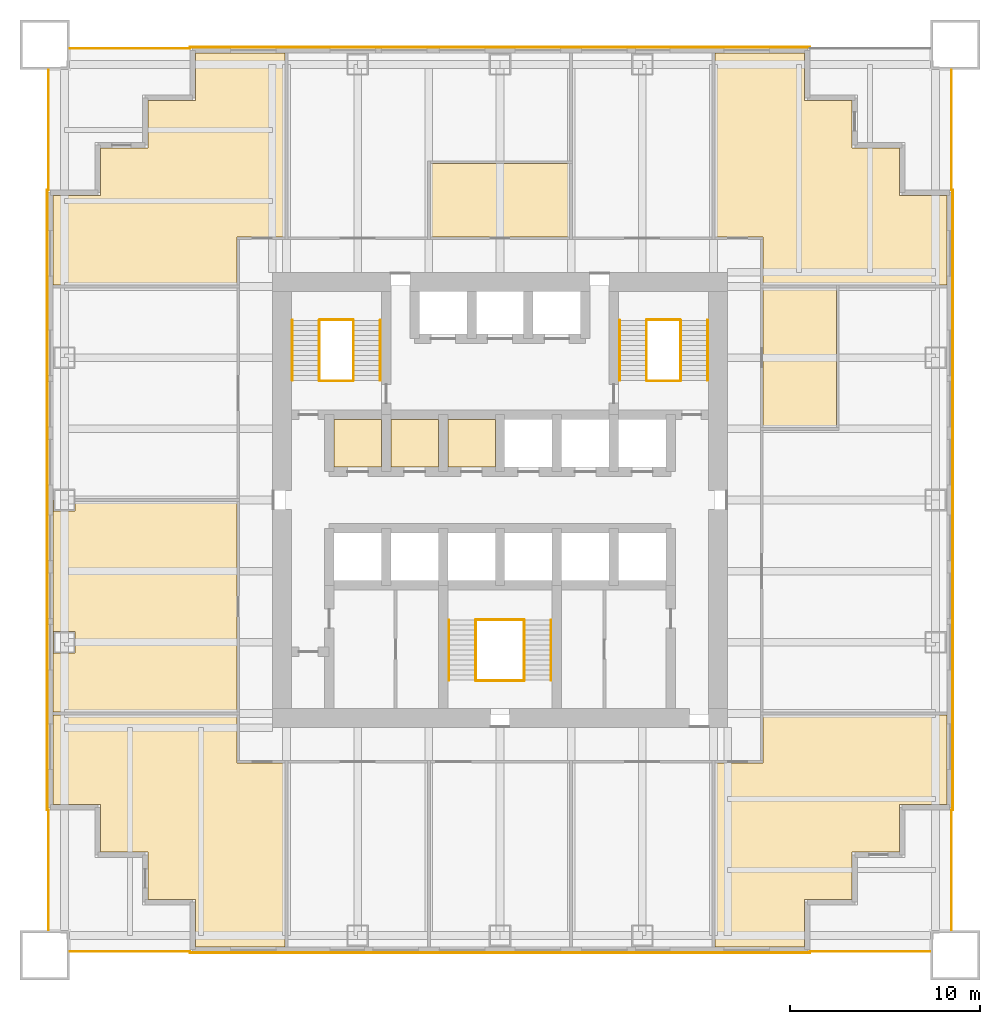
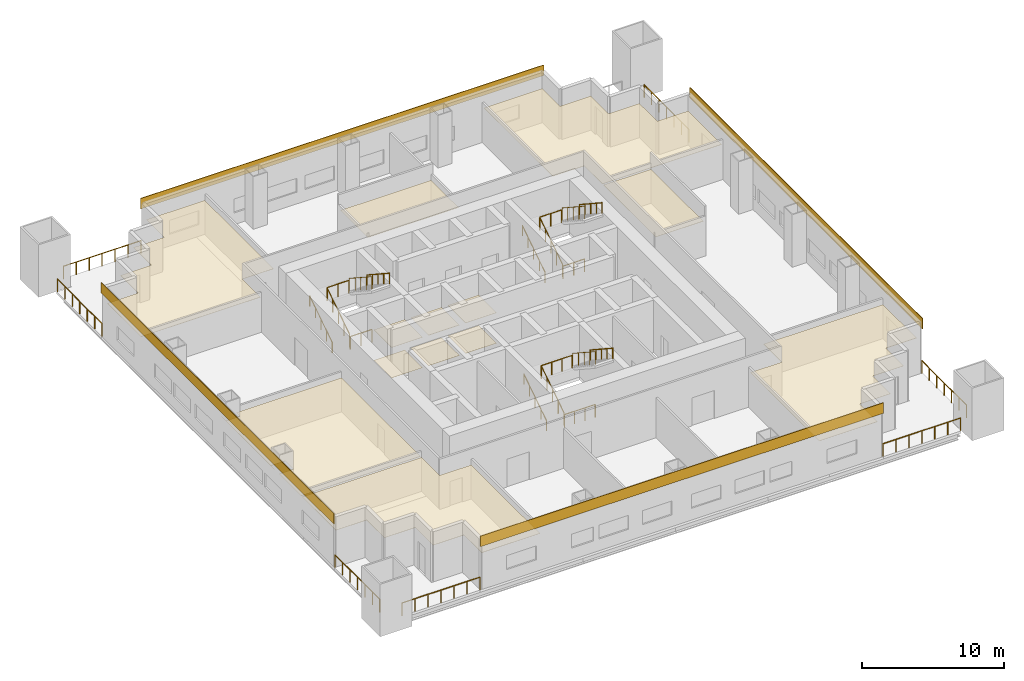
# One storey, part 6 of 7: 25 railings, 17 coverings.
"""IFC4 building model written with IfcOpenShell, lengths in metres."""

from ifc_helpers import new_model, si_unit, direction, frame, origin, origin_2d, place, context, subcontext, project, spatial, polyline, rectangle, circle, outline, extrude, material, layer, layer_set, type_object, element, save


model = new_model("IFC4")

# Units and contexts
model_context = context("Model", 3, precision=1e-05, world=origin(), true_north=direction((0.0, 1.0)))
body_context = subcontext(model_context, "Body", "Model", "MODEL_VIEW")
ifc_project = project(units=[si_unit("LENGTHUNIT", "METRE"), si_unit("AREAUNIT", "SQUARE_METRE"), si_unit("VOLUMEUNIT", "CUBIC_METRE"), si_unit("PLANEANGLEUNIT", "RADIAN"), si_unit("MASSUNIT", "GRAM", prefix="KILO")], contexts=[model_context])

# Site, building, storey
site_placement = place(None, origin())
site = spatial("IfcSite", under=ifc_project, at=site_placement, CompositionType="ELEMENT")
building_placement = place(site_placement, origin())
building = spatial("IfcBuilding", under=site, at=building_placement, Name="Tarangal Relay Tower", CompositionType="ELEMENT")
storey_placement = place(building_placement, frame((0.0, 0.0, 126.89990234375)))
storey = spatial("IfcBuildingStorey", under=building, at=storey_placement, Name="L25", CompositionType="ELEMENT", Elevation=126.89990234375)

# Coverings
ifc_material_1 = material(Name="Anti-static vinyl flooring", Category="plastic")
ifc_layer_1 = layer(ifc_material_1, 0.010009765625)
ifc_layer_set_1 = layer_set([ifc_layer_1], Name="Anti-static vinyl floor")
covering_type_1 = type_object("IfcCoveringType", Name="Anti-static vinyl floor", PredefinedType="FLOORING", material=ifc_layer_set_1)
covering_1_placement = place(storey_placement, origin())
element("IfcCovering", 1, at=covering_1_placement, inside=storey, type_object=covering_type_1, Name="Floor finish FL1 L25-D1", PredefinedType="FLOORING", context=body_context, shape_type="SweptSolid", body=[
    extrude(outline(polyline([(-8.75, 1.75), (-6.25, 1.75), (-6.25, 4.25), (-8.75, 4.25), (-8.75, 1.75)])), origin(), (0.0, 0.0, 1.0), 0.010009765625),
])
covering_2_placement = place(storey_placement, origin())
element("IfcCovering", 2, at=covering_2_placement, inside=storey, type_object=covering_type_1, Name="Floor finish FL1 L25-D2", PredefinedType="FLOORING", context=body_context, shape_type="SweptSolid", body=[
    extrude(outline(polyline([(-5.75, 1.75), (-3.25, 1.75), (-3.25, 4.25), (-5.75, 4.25), (-5.75, 1.75)])), origin(), (0.0, 0.0, 1.0), 0.010009765625),
])
covering_3_placement = place(storey_placement, origin())
element("IfcCovering", 3, at=covering_3_placement, inside=storey, type_object=covering_type_1, Name="Floor finish FL1 L25-D3", PredefinedType="FLOORING", context=body_context, shape_type="SweptSolid", body=[
    extrude(outline(polyline([(-2.75, 1.75), (-0.25, 1.75), (-0.25, 4.25), (-2.75, 4.25), (-2.75, 1.75)])), origin(), (0.0, 0.0, 1.0), 0.010009765625),
])
ifc_material_2 = material(Name="Black anodised aluminium cladding", Category="aluminium")
ifc_layer_2 = layer(ifc_material_2, 0.050048828125)
ifc_layer_set_2 = layer_set([ifc_layer_2], Name="Black metal spandrel band")
covering_type_2 = type_object("IfcCoveringType", Name="Black metal spandrel band", PredefinedType="CLADDING", material=ifc_layer_set_2)
for number, where, z_axis, x_axis, name in (
    (4, (0.0, 23.875, 3.750244140625), (0.0, 0.0, 1.0), (1.0, 0.0, 0.0), "Spandrel band SB1 N L25"),
    (5, (23.875, 0.0, 3.750244140625), (0.0, 0.0, 1.0), (0.0, -1.0, 0.0), "Spandrel band SB1 E L25"),
    (6, (0.0, -23.875, 3.750244140625), (0.0, 0.0, 1.0), (-1.0, 0.0, 0.0), "Spandrel band SB1 S L25"),
    (7, (-23.875, 0.0, 3.750244140625), (0.0, 0.0, 1.0), (0.0, 1.0, 0.0), "Spandrel band SB1 W L25"),
):
    element("IfcCovering", number, at=place(storey_placement, frame(where, z_axis=z_axis, x_axis=x_axis)), inside=storey, type_object=covering_type_2, Name=name, PredefinedType="CLADDING", context=body_context, shape_type="SweptSolid", body=[
        extrude(rectangle(XDim=32.699951171875, YDim=0.050048828125, at=origin_2d()), origin(), (0.0, 0.0, 1.0), 0.89990234375),
    ])

# Railings
ifc_material_3 = material(Name="Steel guard, black finish", Category="steel")
railing_type_1 = type_object("IfcRailingType", Name="Stair guard 1100", PredefinedType="GUARDRAIL", material=ifc_material_3)
railing_1_placement = place(storey_placement, frame((-9.530029296875, 6.300048828125, 0.173095703125)))
element("IfcRailing", 8, at=railing_1_placement, inside=storey, type_object=railing_type_1, Name="Stair ST-A guard GR1 L25 flight 1", PredefinedType="GUARDRAIL", context=body_context, shape_type="SweptSolid", body=[
    extrude(circle(Radius=0.02392578125, at=origin_2d()), frame((0.0, 0.0, 1.076171875), z_axis=(0.0, 0.83629911093, 0.548273469226), x_axis=(-1.0, 0.0, 0.0)), (0.0, 0.0, 1.0), 3.7880859375),
    extrude(circle(Radius=0.02099609375, at=origin_2d()), origin(), (0.0, 0.0, 1.0), 1.052001953125),
    extrude(circle(Radius=0.02099609375, at=origin_2d()), frame((0.0, 0.7919921875, 0.519287109375)), (0.0, 0.0, 1.0), 1.052001953125),
    extrude(circle(Radius=0.02099609375, at=origin_2d()), frame((0.0, 1.583984375, 1.03857421875)), (0.0, 0.0, 1.0), 1.052001953125),
    extrude(circle(Radius=0.02099609375, at=origin_2d()), frame((0.0, 2.3759765625, 1.5576171875)), (0.0, 0.0, 1.0), 1.052001953125),
    extrude(circle(Radius=0.02099609375, at=origin_2d()), frame((0.0, 3.16796875, 2.076904296875)), (0.0, 0.0, 1.0), 1.052001953125),
])
railing_2_placement = place(storey_placement, frame((-7.719970703125, 9.468017578125, 2.423095703125)))
element("IfcRailing", 9, at=railing_2_placement, inside=storey, type_object=railing_type_1, Name="Stair ST-A guard GR1 L25 flight 2", PredefinedType="GUARDRAIL", context=body_context, shape_type="SweptSolid", body=[
    extrude(circle(Radius=0.02392578125, at=origin_2d()), frame((0.0, 0.0, 1.076171875), z_axis=(0.0, -0.83629911093, 0.548273469226), x_axis=(1.0, 0.0, 0.0)), (0.0, 0.0, 1.0), 3.7880859375),
    extrude(circle(Radius=0.02099609375, at=origin_2d()), origin(), (0.0, 0.0, 1.0), 1.052001953125),
    extrude(circle(Radius=0.02099609375, at=origin_2d()), frame((0.0, -0.7919921875, 0.519287109375)), (0.0, 0.0, 1.0), 1.052001953125),
    extrude(circle(Radius=0.02099609375, at=origin_2d()), frame((0.0, -1.583984375, 1.03857421875)), (0.0, 0.0, 1.0), 1.052001953125),
    extrude(circle(Radius=0.02099609375, at=origin_2d()), frame((0.0, -2.3759765625, 1.5576171875)), (0.0, 0.0, 1.0), 1.052001953125),
    extrude(circle(Radius=0.02099609375, at=origin_2d()), frame((0.0, -3.16796875, 2.076904296875)), (0.0, 0.0, 1.0), 1.052001953125),
])
for number, where, name in (
    (10, (-9.5, 6.27001953125, 0.0), "Stair ST-A landing guard GR1 L25"),
    (11, (-9.5, 9.498046875, 2.25), "Stair ST-A landing guard GR1 L25"),
):
    element("IfcRailing", number, at=place(storey_placement, frame(where)), inside=storey, type_object=railing_type_1, Name=name, PredefinedType="GUARDRAIL", context=body_context, shape_type="SweptSolid", body=[
        extrude(circle(Radius=0.02392578125, at=origin_2d()), frame((0.0, 0.0, 1.076171875), z_axis=(1.0, 0.0, 0.0), x_axis=(0.0, 1.0, 0.0)), (0.0, 0.0, 1.0), 1.75),
        extrude(circle(Radius=0.02099609375, at=origin_2d()), origin(), (0.0, 0.0, 1.0), 1.052001953125),
        extrude(circle(Radius=0.02099609375, at=origin_2d()), frame((0.875, 0.0, 0.0)), (0.0, 0.0, 1.0), 1.052001953125),
        extrude(circle(Radius=0.02099609375, at=origin_2d()), frame((1.75, 0.0, 0.0)), (0.0, 0.0, 1.0), 1.052001953125),
    ])
railing_3_placement = place(storey_placement, frame((7.719970703125, 6.300048828125, 0.173095703125)))
element("IfcRailing", 12, at=railing_3_placement, inside=storey, type_object=railing_type_1, Name="Stair ST-B guard GR1 L25 flight 1", PredefinedType="GUARDRAIL", context=body_context, shape_type="SweptSolid", body=[
    extrude(circle(Radius=0.02392578125, at=origin_2d()), frame((0.0, 0.0, 1.076171875), z_axis=(0.0, 0.83629911093, 0.548273469226), x_axis=(-1.0, 0.0, 0.0)), (0.0, 0.0, 1.0), 3.7880859375),
    extrude(circle(Radius=0.02099609375, at=origin_2d()), origin(), (0.0, 0.0, 1.0), 1.052001953125),
    extrude(circle(Radius=0.02099609375, at=origin_2d()), frame((0.0, 0.7919921875, 0.519287109375)), (0.0, 0.0, 1.0), 1.052001953125),
    extrude(circle(Radius=0.02099609375, at=origin_2d()), frame((0.0, 1.583984375, 1.03857421875)), (0.0, 0.0, 1.0), 1.052001953125),
    extrude(circle(Radius=0.02099609375, at=origin_2d()), frame((0.0, 2.3759765625, 1.5576171875)), (0.0, 0.0, 1.0), 1.052001953125),
    extrude(circle(Radius=0.02099609375, at=origin_2d()), frame((0.0, 3.16796875, 2.076904296875)), (0.0, 0.0, 1.0), 1.052001953125),
])
railing_4_placement = place(storey_placement, frame((9.530029296875, 9.468017578125, 2.423095703125)))
element("IfcRailing", 13, at=railing_4_placement, inside=storey, type_object=railing_type_1, Name="Stair ST-B guard GR1 L25 flight 2", PredefinedType="GUARDRAIL", context=body_context, shape_type="SweptSolid", body=[
    extrude(circle(Radius=0.02392578125, at=origin_2d()), frame((0.0, 0.0, 1.076171875), z_axis=(0.0, -0.83629911093, 0.548273469226), x_axis=(1.0, 0.0, 0.0)), (0.0, 0.0, 1.0), 3.7880859375),
    extrude(circle(Radius=0.02099609375, at=origin_2d()), origin(), (0.0, 0.0, 1.0), 1.052001953125),
    extrude(circle(Radius=0.02099609375, at=origin_2d()), frame((0.0, -0.7919921875, 0.519287109375)), (0.0, 0.0, 1.0), 1.052001953125),
    extrude(circle(Radius=0.02099609375, at=origin_2d()), frame((0.0, -1.583984375, 1.03857421875)), (0.0, 0.0, 1.0), 1.052001953125),
    extrude(circle(Radius=0.02099609375, at=origin_2d()), frame((0.0, -2.3759765625, 1.5576171875)), (0.0, 0.0, 1.0), 1.052001953125),
    extrude(circle(Radius=0.02099609375, at=origin_2d()), frame((0.0, -3.16796875, 2.076904296875)), (0.0, 0.0, 1.0), 1.052001953125),
])
for number, where, name in (
    (14, (7.75, 6.27001953125, 0.0), "Stair ST-B landing guard GR1 L25"),
    (15, (7.75, 9.498046875, 2.25), "Stair ST-B landing guard GR1 L25"),
):
    element("IfcRailing", number, at=place(storey_placement, frame(where)), inside=storey, type_object=railing_type_1, Name=name, PredefinedType="GUARDRAIL", context=body_context, shape_type="SweptSolid", body=[
        extrude(circle(Radius=0.02392578125, at=origin_2d()), frame((0.0, 0.0, 1.076171875), z_axis=(1.0, 0.0, 0.0), x_axis=(0.0, 1.0, 0.0)), (0.0, 0.0, 1.0), 1.75),
        extrude(circle(Radius=0.02099609375, at=origin_2d()), origin(), (0.0, 0.0, 1.0), 1.052001953125),
        extrude(circle(Radius=0.02099609375, at=origin_2d()), frame((0.875, 0.0, 0.0)), (0.0, 0.0, 1.0), 1.052001953125),
        extrude(circle(Radius=0.02099609375, at=origin_2d()), frame((1.75, 0.0, 0.0)), (0.0, 0.0, 1.0), 1.052001953125),
    ])
railing_5_placement = place(storey_placement, frame((-1.280029296875, -9.5, 0.173095703125)))
element("IfcRailing", 16, at=railing_5_placement, inside=storey, type_object=railing_type_1, Name="Stair ST-C guard GR1 L25 flight 1", PredefinedType="GUARDRAIL", context=body_context, shape_type="SweptSolid", body=[
    extrude(circle(Radius=0.02392578125, at=origin_2d()), frame((0.0, 0.0, 1.076171875), z_axis=(0.0, 0.83629911093, 0.548273469226), x_axis=(-1.0, 0.0, 0.0)), (0.0, 0.0, 1.0), 3.7880859375),
    extrude(circle(Radius=0.02099609375, at=origin_2d()), origin(), (0.0, 0.0, 1.0), 1.052001953125),
    extrude(circle(Radius=0.02099609375, at=origin_2d()), frame((0.0, 0.7919921875, 0.519287109375)), (0.0, 0.0, 1.0), 1.052001953125),
    extrude(circle(Radius=0.02099609375, at=origin_2d()), frame((0.0, 1.583984375, 1.03857421875)), (0.0, 0.0, 1.0), 1.052001953125),
    extrude(circle(Radius=0.02099609375, at=origin_2d()), frame((0.0, 2.3759765625, 1.5576171875)), (0.0, 0.0, 1.0), 1.052001953125),
    extrude(circle(Radius=0.02099609375, at=origin_2d()), frame((0.0, 3.16796875, 2.076904296875)), (0.0, 0.0, 1.0), 1.052001953125),
])
railing_6_placement = place(storey_placement, frame((1.280029296875, -6.33203125, 2.423095703125)))
element("IfcRailing", 17, at=railing_6_placement, inside=storey, type_object=railing_type_1, Name="Stair ST-C guard GR1 L25 flight 2", PredefinedType="GUARDRAIL", context=body_context, shape_type="SweptSolid", body=[
    extrude(circle(Radius=0.02392578125, at=origin_2d()), frame((0.0, 0.0, 1.076171875), z_axis=(0.0, -0.83629911093, 0.548273469226), x_axis=(1.0, 0.0, 0.0)), (0.0, 0.0, 1.0), 3.7880859375),
    extrude(circle(Radius=0.02099609375, at=origin_2d()), origin(), (0.0, 0.0, 1.0), 1.052001953125),
    extrude(circle(Radius=0.02099609375, at=origin_2d()), frame((0.0, -0.7919921875, 0.519287109375)), (0.0, 0.0, 1.0), 1.052001953125),
    extrude(circle(Radius=0.02099609375, at=origin_2d()), frame((0.0, -1.583984375, 1.03857421875)), (0.0, 0.0, 1.0), 1.052001953125),
    extrude(circle(Radius=0.02099609375, at=origin_2d()), frame((0.0, -2.3759765625, 1.5576171875)), (0.0, 0.0, 1.0), 1.052001953125),
    extrude(circle(Radius=0.02099609375, at=origin_2d()), frame((0.0, -3.16796875, 2.076904296875)), (0.0, 0.0, 1.0), 1.052001953125),
])
for number, where, name in (
    (18, (-1.25, -9.530029296875, 0.0), "Stair ST-C landing guard GR1 L25"),
    (19, (-1.25, -6.302001953125, 2.25), "Stair ST-C landing guard GR1 L25"),
):
    element("IfcRailing", number, at=place(storey_placement, frame(where)), inside=storey, type_object=railing_type_1, Name=name, PredefinedType="GUARDRAIL", context=body_context, shape_type="SweptSolid", body=[
        extrude(circle(Radius=0.02392578125, at=origin_2d()), frame((0.0, 0.0, 1.076171875), z_axis=(1.0, 0.0, 0.0), x_axis=(0.0, 1.0, 0.0)), (0.0, 0.0, 1.0), 2.5),
        extrude(circle(Radius=0.02099609375, at=origin_2d()), origin(), (0.0, 0.0, 1.0), 1.052001953125),
        extrude(circle(Radius=0.02099609375, at=origin_2d()), frame((0.833251953125, 0.0, 0.0)), (0.0, 0.0, 1.0), 1.052001953125),
        extrude(circle(Radius=0.02099609375, at=origin_2d()), frame((1.666748046875, 0.0, 0.0)), (0.0, 0.0, 1.0), 1.052001953125),
        extrude(circle(Radius=0.02099609375, at=origin_2d()), frame((2.5, 0.0, 0.0)), (0.0, 0.0, 1.0), 1.052001953125),
    ])
ifc_material_4 = material(Name="Steel handrail, black finish", Category="steel")
railing_type_2 = type_object("IfcRailingType", Name="Stair handrail 900", PredefinedType="HANDRAIL", material=ifc_material_4)
railing_7_placement = place(storey_placement, frame((-10.93994140625, 6.300048828125, 0.173095703125)))
element("IfcRailing", 20, at=railing_7_placement, inside=storey, type_object=railing_type_2, Name="Stair ST-A handrail HR1 L25 flight 1", PredefinedType="HANDRAIL", context=body_context, shape_type="SweptSolid", body=[
    extrude(circle(Radius=0.02392578125, at=origin_2d()), frame((0.0, 0.0, 0.8759765625), z_axis=(0.0, 0.83629911093, 0.548273469226), x_axis=(-1.0, 0.0, 0.0)), (0.0, 0.0, 1.0), 3.7880859375),
    extrude(circle(Radius=0.02099609375, at=origin_2d()), origin(), (0.0, 0.0, 1.0), 0.851806640625),
    extrude(circle(Radius=0.02099609375, at=origin_2d()), frame((0.0, 0.7919921875, 0.519287109375)), (0.0, 0.0, 1.0), 0.851806640625),
    extrude(circle(Radius=0.02099609375, at=origin_2d()), frame((0.0, 1.583984375, 1.03857421875)), (0.0, 0.0, 1.0), 0.851806640625),
    extrude(circle(Radius=0.02099609375, at=origin_2d()), frame((0.0, 2.3759765625, 1.5576171875)), (0.0, 0.0, 1.0), 0.851806640625),
    extrude(circle(Radius=0.02099609375, at=origin_2d()), frame((0.0, 3.16796875, 2.076904296875)), (0.0, 0.0, 1.0), 0.851806640625),
])
railing_8_placement = place(storey_placement, frame((-6.31005859375, 9.468017578125, 2.423095703125)))
element("IfcRailing", 21, at=railing_8_placement, inside=storey, type_object=railing_type_2, Name="Stair ST-A handrail HR1 L25 flight 2", PredefinedType="HANDRAIL", context=body_context, shape_type="SweptSolid", body=[
    extrude(circle(Radius=0.02392578125, at=origin_2d()), frame((0.0, 0.0, 0.8759765625), z_axis=(0.0, -0.83629911093, 0.548273469226), x_axis=(1.0, 0.0, 0.0)), (0.0, 0.0, 1.0), 3.7880859375),
    extrude(circle(Radius=0.02099609375, at=origin_2d()), origin(), (0.0, 0.0, 1.0), 0.851806640625),
    extrude(circle(Radius=0.02099609375, at=origin_2d()), frame((0.0, -0.7919921875, 0.519287109375)), (0.0, 0.0, 1.0), 0.851806640625),
    extrude(circle(Radius=0.02099609375, at=origin_2d()), frame((0.0, -1.583984375, 1.03857421875)), (0.0, 0.0, 1.0), 0.851806640625),
    extrude(circle(Radius=0.02099609375, at=origin_2d()), frame((0.0, -2.3759765625, 1.5576171875)), (0.0, 0.0, 1.0), 0.851806640625),
    extrude(circle(Radius=0.02099609375, at=origin_2d()), frame((0.0, -3.16796875, 2.076904296875)), (0.0, 0.0, 1.0), 0.851806640625),
])
railing_9_placement = place(storey_placement, frame((6.31005859375, 6.300048828125, 0.173095703125)))
element("IfcRailing", 22, at=railing_9_placement, inside=storey, type_object=railing_type_2, Name="Stair ST-B handrail HR1 L25 flight 1", PredefinedType="HANDRAIL", context=body_context, shape_type="SweptSolid", body=[
    extrude(circle(Radius=0.02392578125, at=origin_2d()), frame((0.0, 0.0, 0.8759765625), z_axis=(0.0, 0.83629911093, 0.548273469226), x_axis=(-1.0, 0.0, 0.0)), (0.0, 0.0, 1.0), 3.7880859375),
    extrude(circle(Radius=0.02099609375, at=origin_2d()), origin(), (0.0, 0.0, 1.0), 0.851806640625),
    extrude(circle(Radius=0.02099609375, at=origin_2d()), frame((0.0, 0.7919921875, 0.519287109375)), (0.0, 0.0, 1.0), 0.851806640625),
    extrude(circle(Radius=0.02099609375, at=origin_2d()), frame((0.0, 1.583984375, 1.03857421875)), (0.0, 0.0, 1.0), 0.851806640625),
    extrude(circle(Radius=0.02099609375, at=origin_2d()), frame((0.0, 2.3759765625, 1.5576171875)), (0.0, 0.0, 1.0), 0.851806640625),
    extrude(circle(Radius=0.02099609375, at=origin_2d()), frame((0.0, 3.16796875, 2.076904296875)), (0.0, 0.0, 1.0), 0.851806640625),
])
railing_10_placement = place(storey_placement, frame((10.93994140625, 9.468017578125, 2.423095703125)))
element("IfcRailing", 23, at=railing_10_placement, inside=storey, type_object=railing_type_2, Name="Stair ST-B handrail HR1 L25 flight 2", PredefinedType="HANDRAIL", context=body_context, shape_type="SweptSolid", body=[
    extrude(circle(Radius=0.02392578125, at=origin_2d()), frame((0.0, 0.0, 0.8759765625), z_axis=(0.0, -0.83629911093, 0.548273469226), x_axis=(1.0, 0.0, 0.0)), (0.0, 0.0, 1.0), 3.7880859375),
    extrude(circle(Radius=0.02099609375, at=origin_2d()), origin(), (0.0, 0.0, 1.0), 0.851806640625),
    extrude(circle(Radius=0.02099609375, at=origin_2d()), frame((0.0, -0.7919921875, 0.519287109375)), (0.0, 0.0, 1.0), 0.851806640625),
    extrude(circle(Radius=0.02099609375, at=origin_2d()), frame((0.0, -1.583984375, 1.03857421875)), (0.0, 0.0, 1.0), 0.851806640625),
    extrude(circle(Radius=0.02099609375, at=origin_2d()), frame((0.0, -2.3759765625, 1.5576171875)), (0.0, 0.0, 1.0), 0.851806640625),
    extrude(circle(Radius=0.02099609375, at=origin_2d()), frame((0.0, -3.16796875, 2.076904296875)), (0.0, 0.0, 1.0), 0.851806640625),
])
railing_11_placement = place(storey_placement, frame((-2.68994140625, -9.5, 0.173095703125)))
element("IfcRailing", 24, at=railing_11_placement, inside=storey, type_object=railing_type_2, Name="Stair ST-C handrail HR1 L25 flight 1", PredefinedType="HANDRAIL", context=body_context, shape_type="SweptSolid", body=[
    extrude(circle(Radius=0.02392578125, at=origin_2d()), frame((0.0, 0.0, 0.8759765625), z_axis=(0.0, 0.83629911093, 0.548273469226), x_axis=(-1.0, 0.0, 0.0)), (0.0, 0.0, 1.0), 3.7880859375),
    extrude(circle(Radius=0.02099609375, at=origin_2d()), origin(), (0.0, 0.0, 1.0), 0.851806640625),
    extrude(circle(Radius=0.02099609375, at=origin_2d()), frame((0.0, 0.7919921875, 0.519287109375)), (0.0, 0.0, 1.0), 0.851806640625),
    extrude(circle(Radius=0.02099609375, at=origin_2d()), frame((0.0, 1.583984375, 1.03857421875)), (0.0, 0.0, 1.0), 0.851806640625),
    extrude(circle(Radius=0.02099609375, at=origin_2d()), frame((0.0, 2.3759765625, 1.5576171875)), (0.0, 0.0, 1.0), 0.851806640625),
    extrude(circle(Radius=0.02099609375, at=origin_2d()), frame((0.0, 3.16796875, 2.076904296875)), (0.0, 0.0, 1.0), 0.851806640625),
])
railing_12_placement = place(storey_placement, frame((2.68994140625, -6.33203125, 2.423095703125)))
element("IfcRailing", 25, at=railing_12_placement, inside=storey, type_object=railing_type_2, Name="Stair ST-C handrail HR1 L25 flight 2", PredefinedType="HANDRAIL", context=body_context, shape_type="SweptSolid", body=[
    extrude(circle(Radius=0.02392578125, at=origin_2d()), frame((0.0, 0.0, 0.8759765625), z_axis=(0.0, -0.83629911093, 0.548273469226), x_axis=(1.0, 0.0, 0.0)), (0.0, 0.0, 1.0), 3.7880859375),
    extrude(circle(Radius=0.02099609375, at=origin_2d()), origin(), (0.0, 0.0, 1.0), 0.851806640625),
    extrude(circle(Radius=0.02099609375, at=origin_2d()), frame((0.0, -0.7919921875, 0.519287109375)), (0.0, 0.0, 1.0), 0.851806640625),
    extrude(circle(Radius=0.02099609375, at=origin_2d()), frame((0.0, -1.583984375, 1.03857421875)), (0.0, 0.0, 1.0), 0.851806640625),
    extrude(circle(Radius=0.02099609375, at=origin_2d()), frame((0.0, -2.3759765625, 1.5576171875)), (0.0, 0.0, 1.0), 0.851806640625),
    extrude(circle(Radius=0.02099609375, at=origin_2d()), frame((0.0, -3.16796875, 2.076904296875)), (0.0, 0.0, 1.0), 0.851806640625),
])

# Coverings
ifc_material_5 = material(Name="Mineral fibre ceiling tiles", Category="gypsum")
ifc_layer_3 = layer(ifc_material_5, 0.02001953125)
ifc_layer_set_3 = layer_set([ifc_layer_3], Name="Suspended ceiling")
covering_type_3 = type_object("IfcCoveringType", Name="Suspended ceiling", PredefinedType="CEILING", material=ifc_layer_set_3)
covering_4_placement = place(storey_placement, frame((0.0, 0.0, 2.60009765625)))
element("IfcCovering", 26, at=covering_4_placement, inside=storey, type_object=covering_type_3, Name="Suspended ceiling CL1 L25-D1", PredefinedType="CEILING", context=body_context, shape_type="SweptSolid", body=[
    extrude(outline(polyline([(-8.75, 1.75), (-6.25, 1.75), (-6.25, 4.25), (-8.75, 4.25), (-8.75, 1.75)])), origin(), (0.0, 0.0, 1.0), 0.02001953125),
])
covering_5_placement = place(storey_placement, frame((0.0, 0.0, 2.60009765625)))
element("IfcCovering", 27, at=covering_5_placement, inside=storey, type_object=covering_type_3, Name="Suspended ceiling CL1 L25-D2", PredefinedType="CEILING", context=body_context, shape_type="SweptSolid", body=[
    extrude(outline(polyline([(-5.75, 1.75), (-3.25, 1.75), (-3.25, 4.25), (-5.75, 4.25), (-5.75, 1.75)])), origin(), (0.0, 0.0, 1.0), 0.02001953125),
])
covering_6_placement = place(storey_placement, frame((0.0, 0.0, 2.60009765625)))
element("IfcCovering", 28, at=covering_6_placement, inside=storey, type_object=covering_type_3, Name="Suspended ceiling CL1 L25-D3", PredefinedType="CEILING", context=body_context, shape_type="SweptSolid", body=[
    extrude(outline(polyline([(-2.75, 1.75), (-0.25, 1.75), (-0.25, 4.25), (-2.75, 4.25), (-2.75, 1.75)])), origin(), (0.0, 0.0, 1.0), 0.02001953125),
])
covering_7_placement = place(storey_placement, frame((0.0, 0.0, 2.900146484375)))
element("IfcCovering", 29, at=covering_7_placement, inside=storey, type_object=covering_type_3, Name="Suspended ceiling CL1 L25-03", PredefinedType="CEILING", context=body_context, shape_type="SweptSolid", body=[
    extrude(outline(polyline([(-3.675048828125, 17.72509765625), (-3.675048828125, 13.875), (3.675048828125, 13.875), (3.675048828125, 17.72509765625), (-3.675048828125, 17.72509765625)])), origin(), (0.0, 0.0, 1.0), 0.02001953125),
])
covering_8_placement = place(storey_placement, frame((0.0, 0.0, 2.900146484375)))
element("IfcCovering", 30, at=covering_8_placement, inside=storey, type_object=covering_type_3, Name="Suspended ceiling CL1 L25-05", PredefinedType="CEILING", context=body_context, shape_type="SweptSolid", body=[
    extrude(outline(polyline([(17.72509765625, 3.824951171875), (17.72509765625, 11.175048828125), (13.875, 11.175048828125), (13.875, 3.824951171875), (17.72509765625, 3.824951171875)])), origin(), (0.0, 0.0, 1.0), 0.02001953125),
])
covering_9_placement = place(storey_placement, frame((0.0, 0.0, 2.900146484375)))
element("IfcCovering", 31, at=covering_9_placement, inside=storey, type_object=covering_type_3, Name="Suspended ceiling CL1 L25-10", PredefinedType="CEILING", context=body_context, shape_type="SweptSolid", body=[
    extrude(outline(polyline([(-23.550048828125, 0.0), (-23.550048828125, -11.175048828125), (-13.875, -11.175048828125), (-13.875, -0.074951171875), (-22.389892578125, -0.074951171875), (-22.389892578125, -0.574951171875), (-23.5400390625, -0.574951171875), (-23.5400390625, 0.0), (-23.550048828125, 0.0)]), holes=[polyline([(-22.389892578125, -8.074951171875), (-22.389892578125, -6.925048828125), (-23.5400390625, -6.925048828125), (-23.5400390625, -8.074951171875), (-22.389892578125, -8.074951171875)])]), origin(), (0.0, 0.0, 1.0), 0.02001953125),
])
covering_10_placement = place(storey_placement, frame((0.0, 0.0, 2.900146484375)))
element("IfcCovering", 32, at=covering_10_placement, inside=storey, type_object=covering_type_3, Name="Suspended ceiling CL1 L25-12", PredefinedType="CEILING", context=body_context, shape_type="SweptSolid", body=[
    extrude(outline(polyline([(16.050048828125, 23.550048828125), (11.324951171875, 23.550048828125), (11.324951171875, 13.875), (13.875, 13.875), (13.875, 11.324951171875), (23.550048828125, 11.324951171875), (23.550048828125, 16.050048828125), (21.050048828125, 16.050048828125), (21.050048828125, 18.550048828125), (18.550048828125, 18.550048828125), (18.550048828125, 21.050048828125), (16.050048828125, 21.050048828125), (16.050048828125, 23.550048828125)])), origin(), (0.0, 0.0, 1.0), 0.02001953125),
])
covering_11_placement = place(storey_placement, frame((0.0, 0.0, 2.900146484375)))
element("IfcCovering", 33, at=covering_11_placement, inside=storey, type_object=covering_type_3, Name="Suspended ceiling CL1 L25-13", PredefinedType="CEILING", context=body_context, shape_type="SweptSolid", body=[
    extrude(outline(polyline([(23.550048828125, -16.050048828125), (23.550048828125, -11.324951171875), (13.875, -11.324951171875), (13.875, -13.875), (11.324951171875, -13.875), (11.324951171875, -23.550048828125), (16.050048828125, -23.550048828125), (16.050048828125, -21.050048828125), (18.550048828125, -21.050048828125), (18.550048828125, -18.550048828125), (21.050048828125, -18.550048828125), (21.050048828125, -16.050048828125), (23.550048828125, -16.050048828125)])), origin(), (0.0, 0.0, 1.0), 0.02001953125),
])
covering_12_placement = place(storey_placement, frame((0.0, 0.0, 2.900146484375)))
element("IfcCovering", 34, at=covering_12_placement, inside=storey, type_object=covering_type_3, Name="Suspended ceiling CL1 L25-14", PredefinedType="CEILING", context=body_context, shape_type="SweptSolid", body=[
    extrude(outline(polyline([(-16.050048828125, -21.050048828125), (-16.050048828125, -23.550048828125), (-11.324951171875, -23.550048828125), (-11.324951171875, -13.875), (-13.875, -13.875), (-13.875, -11.324951171875), (-23.550048828125, -11.324951171875), (-23.550048828125, -16.050048828125), (-21.050048828125, -16.050048828125), (-21.050048828125, -18.550048828125), (-18.550048828125, -18.550048828125), (-18.550048828125, -21.050048828125), (-16.050048828125, -21.050048828125)])), origin(), (0.0, 0.0, 1.0), 0.02001953125),
])
covering_13_placement = place(storey_placement, frame((0.0, 0.0, 2.900146484375)))
element("IfcCovering", 35, at=covering_13_placement, inside=storey, type_object=covering_type_3, Name="Suspended ceiling CL1 L25-15", PredefinedType="CEILING", context=body_context, shape_type="SweptSolid", body=[
    extrude(outline(polyline([(-21.050048828125, 16.050048828125), (-23.550048828125, 16.050048828125), (-23.550048828125, 11.324951171875), (-13.875, 11.324951171875), (-13.875, 13.875), (-11.324951171875, 13.875), (-11.324951171875, 23.550048828125), (-16.050048828125, 23.550048828125), (-16.050048828125, 21.050048828125), (-18.550048828125, 21.050048828125), (-18.550048828125, 18.550048828125), (-21.050048828125, 18.550048828125), (-21.050048828125, 16.050048828125)])), origin(), (0.0, 0.0, 1.0), 0.02001953125),
])

# Railings
ifc_material_6 = material(Name="Black steel guard with glass infill", Category="steel")
railing_type_3 = type_object("IfcRailingType", Name="Terrace guard 1100", PredefinedType="GUARDRAIL", material=ifc_material_6)
for number, where, name in (
    (36, (23.800048828125, 22.64990234375, 0.0), "Terrace guard GR2 NE L25"),
    (37, (23.800048828125, -16.35009765625, 0.0), "Terrace guard GR2 SE L25"),
):
    element("IfcRailing", number, at=place(storey_placement, frame(where)), inside=storey, type_object=railing_type_3, Name=name, PredefinedType="GUARDRAIL", context=body_context, shape_type="SweptSolid", body=[
        extrude(circle(Radius=0.02392578125, at=origin_2d()), frame((0.0, 0.0, 1.076171875), z_axis=(0.0, -1.0, 0.0), x_axis=(1.0, 0.0, 0.0)), (0.0, 0.0, 1.0), 6.2998046875),
        extrude(circle(Radius=0.02099609375, at=origin_2d()), origin(), (0.0, 0.0, 1.0), 1.052001953125),
        extrude(circle(Radius=0.02099609375, at=origin_2d()), frame((0.0, -1.050048828125, 0.0)), (0.0, 0.0, 1.0), 1.052001953125),
        extrude(circle(Radius=0.02099609375, at=origin_2d()), frame((0.0, -2.099853515625, 0.0)), (0.0, 0.0, 1.0), 1.052001953125),
        extrude(circle(Radius=0.02099609375, at=origin_2d()), frame((0.0, -3.14990234375, 0.0)), (0.0, 0.0, 1.0), 1.052001953125),
        extrude(circle(Radius=0.02099609375, at=origin_2d()), frame((0.0, -4.199951171875, 0.0)), (0.0, 0.0, 1.0), 1.052001953125),
        extrude(circle(Radius=0.02099609375, at=origin_2d()), frame((0.0, -5.249755859375, 0.0)), (0.0, 0.0, 1.0), 1.052001953125),
        extrude(circle(Radius=0.02099609375, at=origin_2d()), frame((0.0, -6.2998046875, 0.0)), (0.0, 0.0, 1.0), 1.052001953125),
    ])
for number, where, name in (
    (38, (22.64990234375, -23.800048828125, 0.0), "Terrace guard GR2 SE L25"),
    (39, (-16.35009765625, -23.800048828125, 0.0), "Terrace guard GR2 SW L25"),
):
    element("IfcRailing", number, at=place(storey_placement, frame(where)), inside=storey, type_object=railing_type_3, Name=name, PredefinedType="GUARDRAIL", context=body_context, shape_type="SweptSolid", body=[
        extrude(circle(Radius=0.02392578125, at=origin_2d()), frame((0.0, 0.0, 1.076171875), z_axis=(-1.0, 0.0, 0.0), x_axis=(0.0, -1.0, 0.0)), (0.0, 0.0, 1.0), 6.2998046875),
        extrude(circle(Radius=0.02099609375, at=origin_2d()), origin(), (0.0, 0.0, 1.0), 1.052001953125),
        extrude(circle(Radius=0.02099609375, at=origin_2d()), frame((-1.050048828125, 0.0, 0.0)), (0.0, 0.0, 1.0), 1.052001953125),
        extrude(circle(Radius=0.02099609375, at=origin_2d()), frame((-2.099853515625, 0.0, 0.0)), (0.0, 0.0, 1.0), 1.052001953125),
        extrude(circle(Radius=0.02099609375, at=origin_2d()), frame((-3.14990234375, 0.0, 0.0)), (0.0, 0.0, 1.0), 1.052001953125),
        extrude(circle(Radius=0.02099609375, at=origin_2d()), frame((-4.199951171875, 0.0, 0.0)), (0.0, 0.0, 1.0), 1.052001953125),
        extrude(circle(Radius=0.02099609375, at=origin_2d()), frame((-5.249755859375, 0.0, 0.0)), (0.0, 0.0, 1.0), 1.052001953125),
        extrude(circle(Radius=0.02099609375, at=origin_2d()), frame((-6.2998046875, 0.0, 0.0)), (0.0, 0.0, 1.0), 1.052001953125),
    ])
for number, where, name in (
    (40, (-23.800048828125, -22.64990234375, 0.0), "Terrace guard GR2 SW L25"),
    (41, (-23.800048828125, 16.35009765625, 0.0), "Terrace guard GR2 NW L25"),
):
    element("IfcRailing", number, at=place(storey_placement, frame(where)), inside=storey, type_object=railing_type_3, Name=name, PredefinedType="GUARDRAIL", context=body_context, shape_type="SweptSolid", body=[
        extrude(circle(Radius=0.02392578125, at=origin_2d()), frame((0.0, 0.0, 1.076171875), z_axis=(0.0, 1.0, 0.0), x_axis=(-1.0, 0.0, 0.0)), (0.0, 0.0, 1.0), 6.2998046875),
        extrude(circle(Radius=0.02099609375, at=origin_2d()), origin(), (0.0, 0.0, 1.0), 1.052001953125),
        extrude(circle(Radius=0.02099609375, at=origin_2d()), frame((0.0, 1.050048828125, 0.0)), (0.0, 0.0, 1.0), 1.052001953125),
        extrude(circle(Radius=0.02099609375, at=origin_2d()), frame((0.0, 2.099853515625, 0.0)), (0.0, 0.0, 1.0), 1.052001953125),
        extrude(circle(Radius=0.02099609375, at=origin_2d()), frame((0.0, 3.14990234375, 0.0)), (0.0, 0.0, 1.0), 1.052001953125),
        extrude(circle(Radius=0.02099609375, at=origin_2d()), frame((0.0, 4.199951171875, 0.0)), (0.0, 0.0, 1.0), 1.052001953125),
        extrude(circle(Radius=0.02099609375, at=origin_2d()), frame((0.0, 5.249755859375, 0.0)), (0.0, 0.0, 1.0), 1.052001953125),
        extrude(circle(Radius=0.02099609375, at=origin_2d()), frame((0.0, 6.2998046875, 0.0)), (0.0, 0.0, 1.0), 1.052001953125),
    ])
railing_13_placement = place(storey_placement, frame((-22.64990234375, 23.800048828125, 0.0)))
element("IfcRailing", 42, at=railing_13_placement, inside=storey, type_object=railing_type_3, Name="Terrace guard GR2 NW L25", PredefinedType="GUARDRAIL", context=body_context, shape_type="SweptSolid", body=[
    extrude(circle(Radius=0.02392578125, at=origin_2d()), frame((0.0, 0.0, 1.076171875), z_axis=(1.0, 0.0, 0.0), x_axis=(0.0, 1.0, 0.0)), (0.0, 0.0, 1.0), 6.2998046875),
    extrude(circle(Radius=0.02099609375, at=origin_2d()), origin(), (0.0, 0.0, 1.0), 1.052001953125),
    extrude(circle(Radius=0.02099609375, at=origin_2d()), frame((1.050048828125, 0.0, 0.0)), (0.0, 0.0, 1.0), 1.052001953125),
    extrude(circle(Radius=0.02099609375, at=origin_2d()), frame((2.099853515625, 0.0, 0.0)), (0.0, 0.0, 1.0), 1.052001953125),
    extrude(circle(Radius=0.02099609375, at=origin_2d()), frame((3.14990234375, 0.0, 0.0)), (0.0, 0.0, 1.0), 1.052001953125),
    extrude(circle(Radius=0.02099609375, at=origin_2d()), frame((4.199951171875, 0.0, 0.0)), (0.0, 0.0, 1.0), 1.052001953125),
    extrude(circle(Radius=0.02099609375, at=origin_2d()), frame((5.249755859375, 0.0, 0.0)), (0.0, 0.0, 1.0), 1.052001953125),
    extrude(circle(Radius=0.02099609375, at=origin_2d()), frame((6.2998046875, 0.0, 0.0)), (0.0, 0.0, 1.0), 1.052001953125),
])

save(model, "model.ifc")
